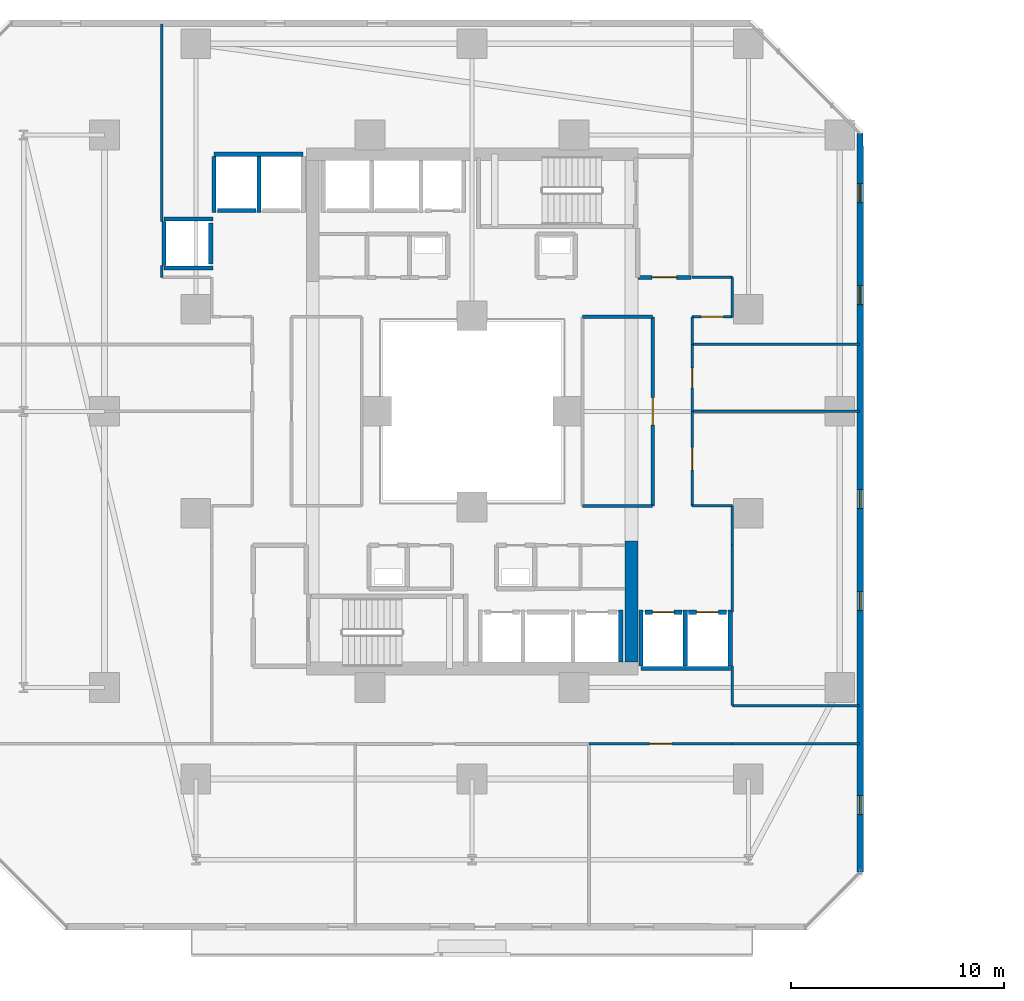
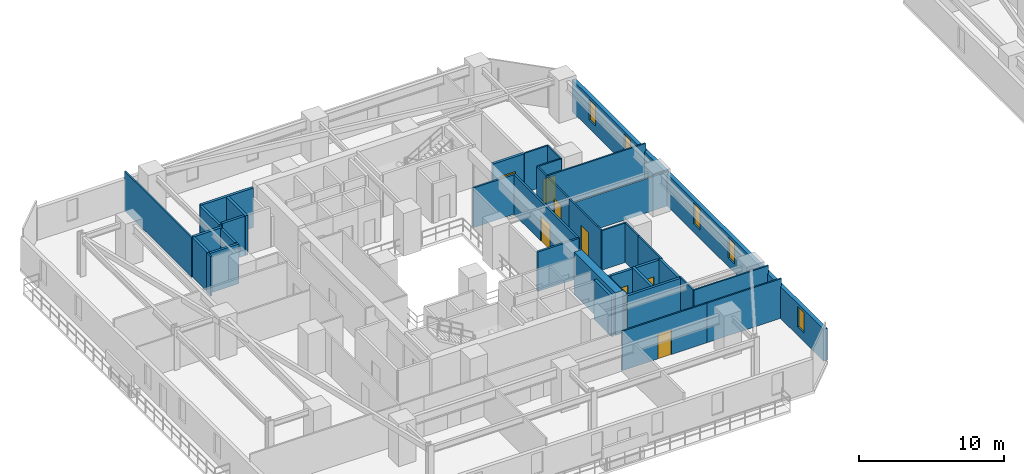
# One storey, part 20 of 33: 38 walls, 8 doors, 5 windows, 13 openings.
"""IFC4 building model written with IfcOpenShell, lengths in metres."""

from ifc_helpers import new_model, si_unit, direction, frame, frame_2d, origin, place, context, subcontext, project, spatial, rectangle, extrude, material, layer, layer_set, type_object, element, fill, save


model = new_model("IFC4")

# Units and contexts
model_context = context("Model", 3, precision=1e-05, world=origin(), true_north=direction((0.0, 1.0)))
body_context = subcontext(model_context, "Body", "Model", "MODEL_VIEW")
ifc_project = project(units=[si_unit("LENGTHUNIT", "METRE"), si_unit("AREAUNIT", "SQUARE_METRE"), si_unit("VOLUMEUNIT", "CUBIC_METRE"), si_unit("PLANEANGLEUNIT", "RADIAN"), si_unit("MASSUNIT", "GRAM", prefix="KILO")], contexts=[model_context])

# Site, building, storey
site_placement = place(None, origin())
site = spatial("IfcSite", under=ifc_project, at=site_placement, CompositionType="ELEMENT")
building_placement = place(site_placement, origin())
building = spatial("IfcBuilding", under=site, at=building_placement, Name="Thornwick Lancets Civic Towers", CompositionType="ELEMENT")
storey_placement = place(building_placement, frame((0.0, 0.0, 38.699951171875)))
storey = spatial("IfcBuildingStorey", under=building, at=storey_placement, Name="L09", CompositionType="ELEMENT", Elevation=38.699951171875)

# Wall, opening, door
ifc_material_1 = material(Name="Concrete blockwork C40/50", Category="masonry")
ifc_layer_1 = layer(ifc_material_1, 0.199951171875, Name="Concrete blockwork C40/50")
ifc_layer_set_1 = layer_set([ifc_layer_1], Name="Concrete blockwork C40/50")
wall_type_1 = type_object("IfcWallType", Name="WALL_COMP_200", PredefinedType="STANDARD", material=ifc_layer_set_1)
wall_1_placement = place(storey_placement, frame((33.6298828125, 17.550048828125, 0.0), z_axis=(0.0, 0.0, 1.0), x_axis=(1.0, 0.0, 0.0)))
wall_1 = element("IfcWall", 1, at=wall_1_placement, inside=storey, type_object=wall_type_1, Name="L09 Hoistway Front Wall PL-AL2", PredefinedType="STANDARD", context=body_context, shape_type="SweptSolid", body=[
    extrude(rectangle(XDim=1.740234375, YDim=0.199951171875, at=frame_2d((0.8701171875, 0.0))), origin(), (0.0, 0.0, 1.0), 3.340087890625),
])
opening_1_placement = place(wall_1_placement, frame((0.360107421875, 0.0, 0.0)))
opening_1 = element("IfcOpeningElement", 2, at=opening_1_placement, cuts=wall_1, Name="Opening LD-PL-AL2", PredefinedType="OPENING", context=body_context, shape_type="SweptSolid", body=[
    extrude(rectangle(XDim=1.02001953125, YDim=2.06005859375, at=frame_2d((0.510009765625, 1.030029296875))), frame((0.0, 0.10986328125, 0.0), z_axis=(0.0, -1.0, 0.0), x_axis=(1.0, 0.0, 0.0)), (0.0, 0.0, 1.0), 0.219970703125),
])
ifc_material_2 = material(Name="Brushed bronze stainless steel", Category="steel")
door_type_1 = type_object("IfcDoorType", Name="DOOR_LIFT_SLIDE", OperationType="SLIDING_TO_LEFT", PredefinedType="DOOR", material=ifc_material_2)
door_1_placement = place(opening_1_placement, origin())
door_1 = element("IfcDoor", 3, at=door_1_placement, inside=storey, type_object=door_type_1, Name="L09 Sliding Lift Landing Door LD-PL-AL2", OperationType="SLIDING_TO_LEFT", OverallHeight=2.06005859375, OverallWidth=1.02001953125, PredefinedType="DOOR", context=body_context, shape_type="SweptSolid", body=[
    extrude(rectangle(XDim=1.02001953125, YDim=2.06005859375, at=frame_2d((0.510009765625, 1.030029296875))), frame((0.0, 0.02490234375, 0.0), z_axis=(0.0, -1.0, 0.0), x_axis=(1.0, 0.0, 0.0)), (0.0, 0.0, 1.0), 0.050048828125),
])
fill(opening_1, door_1)

wall_2_placement = place(storey_placement, frame((35.679931640625, 17.550048828125, 0.0), z_axis=(0.0, 0.0, 1.0), x_axis=(1.0, 0.0, 0.0)))
wall_2 = element("IfcWall", 4, at=wall_2_placement, inside=storey, type_object=wall_type_1, Name="L09 Hoistway Front Wall PL-AL3", PredefinedType="STANDARD", context=body_context, shape_type="SweptSolid", body=[
    extrude(rectangle(XDim=1.7900390625, YDim=0.199951171875, at=frame_2d((0.89501953125, 0.0))), origin(), (0.0, 0.0, 1.0), 3.340087890625),
])
opening_2_placement = place(wall_2_placement, frame((0.385009765625, 0.0, 0.0)))
opening_2 = element("IfcOpeningElement", 5, at=opening_2_placement, cuts=wall_2, Name="Opening LD-PL-AL3", PredefinedType="OPENING", context=body_context, shape_type="SweptSolid", body=[
    extrude(rectangle(XDim=1.02001953125, YDim=2.06005859375, at=frame_2d((0.510009765625, 1.030029296875))), frame((0.0, 0.10986328125, 0.0), z_axis=(0.0, -1.0, 0.0), x_axis=(1.0, 0.0, 0.0)), (0.0, 0.0, 1.0), 0.219970703125),
])
door_2_placement = place(opening_2_placement, origin())
door_2 = element("IfcDoor", 6, at=door_2_placement, inside=storey, type_object=door_type_1, Name="L09 Sliding Lift Landing Door LD-PL-AL3", OperationType="SLIDING_TO_LEFT", OverallHeight=2.06005859375, OverallWidth=1.02001953125, PredefinedType="DOOR", context=body_context, shape_type="SweptSolid", body=[
    extrude(rectangle(XDim=1.02001953125, YDim=2.06005859375, at=frame_2d((0.510009765625, 1.030029296875))), frame((0.0, 0.02490234375, 0.0), z_axis=(0.0, -1.0, 0.0), x_axis=(1.0, 0.0, 0.0)), (0.0, 0.0, 1.0), 0.050048828125),
])
fill(opening_2, door_2)

# Walls
wall_3_placement = place(storey_placement, frame((15.320068359375, 36.449951171875, 0.0), z_axis=(0.0, 0.0, 1.0), x_axis=(-1.0, 0.0, 0.0)))
element("IfcWall", 7, at=wall_3_placement, inside=storey, type_object=wall_type_1, Name="L09 Hoistway Front Wall PL-AM2", PredefinedType="STANDARD", context=body_context, shape_type="SweptSolid", body=[
    extrude(rectangle(XDim=1.7900390625, YDim=0.199951171875, at=frame_2d((0.89501953125, 0.0))), origin(), (0.0, 0.0, 1.0), 3.340087890625),
])
wall_4_placement = place(storey_placement, frame((13.199951171875, 33.929931640625, 0.0), z_axis=(0.0, 0.0, 1.0), x_axis=(0.0, 1.0, 0.0)))
element("IfcWall", 8, at=wall_4_placement, inside=storey, type_object=wall_type_1, Name="L09 Hoistway Front Wall PL-AM3", PredefinedType="STANDARD", context=body_context, shape_type="SweptSolid", body=[
    extrude(rectangle(XDim=1.940185546875, YDim=0.199951171875, at=frame_2d((0.97021484375, 0.0))), origin(), (0.0, 0.0, 1.0), 3.340087890625),
])
wall_5_placement = place(storey_placement, frame((32.5, 15.2119140625, 0.0), z_axis=(0.0, 0.0, 1.0), x_axis=(0.0, 1.0, 0.0)))
element("IfcWall", 9, at=wall_5_placement, inside=storey, type_object=wall_type_1, Name="L09 Hoistway Shaft Wall PL-AL1 E", PredefinedType="STANDARD", context=body_context, shape_type="SweptSolid", body=[
    extrude(rectangle(XDim=2.43603515625, YDim=0.199951171875, at=frame_2d((1.218017578125, 0.0))), origin(), (0.0, 0.0, 1.0), 3.340087890625),
])
wall_6_placement = place(storey_placement, frame((33.451904296875, 14.89990234375, 0.0), z_axis=(0.0, 0.0, 1.0), x_axis=(1.0, 0.0, 0.0)))
element("IfcWall", 10, at=wall_6_placement, inside=storey, type_object=wall_type_1, Name="L09 Hoistway Shaft Wall PL-AL2 S", PredefinedType="STANDARD", context=body_context, shape_type="SweptSolid", body=[
    extrude(rectangle(XDim=4.196044921875, YDim=0.199951171875, at=frame_2d((2.09814453125, 0.0))), origin(), (0.0, 0.0, 1.0), 3.340087890625),
])
for number, where, z_axis, x_axis, name in (
    (11, (35.52490234375, 15.011962890625, 0.0), (0.0, 0.0, 1.0), (0.0, 1.0, 0.0), "L09 Hoistway Shaft Wall PL-AL2 E"),
    (12, (33.449951171875, 15.011962890625, 0.0), (0.0, 0.0, 1.0), (0.0, 1.0, 0.0), "L09 Hoistway Shaft Wall PL-AL2 W"),
    (13, (37.64990234375, 15.011962890625, 0.0), (0.0, 0.0, 1.0), (0.0, 1.0, 0.0), "L09 Hoistway Shaft Wall PL-AL3 E"),
):
    element("IfcWall", number, at=place(storey_placement, frame(where, z_axis=z_axis, x_axis=x_axis)), inside=storey, type_object=wall_type_1, Name=name, PredefinedType="STANDARD", context=body_context, shape_type="SweptSolid", body=[
        extrude(rectangle(XDim=2.635986328125, YDim=0.199951171875, at=frame_2d((1.31787109375, 0.0))), origin(), (0.0, 0.0, 1.0), 3.340087890625),
    ])
wall_7_placement = place(storey_placement, frame((13.35205078125, 39.10009765625, 0.0), z_axis=(0.0, 0.0, 1.0), x_axis=(1.0, 0.0, 0.0)))
element("IfcWall", 14, at=wall_7_placement, inside=storey, type_object=wall_type_1, Name="L09 Hoistway Shaft Wall PL-AM1 N", PredefinedType="STANDARD", context=body_context, shape_type="SweptSolid", body=[
    extrude(rectangle(XDim=4.196044921875, YDim=0.199951171875, at=frame_2d((2.09814453125, 0.0))), origin(), (0.0, 0.0, 1.0), 3.340087890625),
])
for number, where, z_axis, x_axis, name in (
    (15, (15.47509765625, 36.35205078125, 0.0), (0.0, 0.0, 1.0), (0.0, 1.0, 0.0), "L09 Hoistway Shaft Wall PL-AM1 W"),
    (16, (13.35009765625, 36.35205078125, 0.0), (0.0, 0.0, 1.0), (0.0, 1.0, 0.0), "L09 Hoistway Shaft Wall PL-AM2 W"),
):
    element("IfcWall", number, at=place(storey_placement, frame(where, z_axis=z_axis, x_axis=x_axis)), inside=storey, type_object=wall_type_1, Name=name, PredefinedType="STANDARD", context=body_context, shape_type="SweptSolid", body=[
        extrude(rectangle(XDim=2.635986328125, YDim=0.199951171875, at=frame_2d((1.31787109375, 0.0))), origin(), (0.0, 0.0, 1.0), 3.340087890625),
    ])
for number, where, z_axis, x_axis, name in (
    (17, (11.001953125, 36.050048828125, 0.0), (0.0, 0.0, 1.0), (1.0, 0.0, 0.0), "L09 Hoistway Shaft Wall PL-AM3 N"),
    (18, (11.001953125, 33.75, 0.0), (0.0, 0.0, 1.0), (1.0, 0.0, 0.0), "L09 Hoistway Shaft Wall PL-AM3 S"),
):
    element("IfcWall", number, at=place(storey_placement, frame(where, z_axis=z_axis, x_axis=x_axis)), inside=storey, type_object=wall_type_1, Name=name, PredefinedType="STANDARD", context=body_context, shape_type="SweptSolid", body=[
        extrude(rectangle(XDim=2.296142578125, YDim=0.199951171875, at=frame_2d((1.14794921875, 0.0))), origin(), (0.0, 0.0, 1.0), 3.340087890625),
    ])
wall_8_placement = place(storey_placement, frame((11.0, 33.862060546875, 0.0), z_axis=(0.0, 0.0, 1.0), x_axis=(0.0, 1.0, 0.0)))
element("IfcWall", 19, at=wall_8_placement, inside=storey, type_object=wall_type_1, Name="L09 Hoistway Shaft Wall PL-AM3 W", PredefinedType="STANDARD", context=body_context, shape_type="SweptSolid", body=[
    extrude(rectangle(XDim=2.075927734375, YDim=0.199951171875, at=frame_2d((1.0380859375, 0.0))), origin(), (0.0, 0.0, 1.0), 3.340087890625),
])

# Wall, opening, door
wall_9_placement = place(storey_placement, frame((33.300048828125, 33.300048828125, 0.0), z_axis=(0.0, 0.0, 1.0), x_axis=(1.0, 0.0, 0.0)))
wall_9 = element("IfcWall", 20, at=wall_9_placement, inside=storey, type_object=wall_type_1, Name="L09 Partition L09-A-FFLOB2 E1", PredefinedType="STANDARD", context=body_context, shape_type="SweptSolid", body=[
    extrude(rectangle(XDim=2.5, YDim=0.199951171875, at=frame_2d((1.25, 0.0))), origin(), (0.0, 0.0, 1.0), 3.340087890625),
])
opening_3_placement = place(wall_9_placement, frame((0.675048828125, 0.0, 0.0)))
opening_3 = element("IfcOpeningElement", 21, at=opening_3_placement, cuts=wall_9, Name="Opening D-L09-0440", PredefinedType="OPENING", context=body_context, shape_type="SweptSolid", body=[
    extrude(rectangle(XDim=1.14990234375, YDim=2.10009765625, at=frame_2d((0.574951171875, 1.050048828125))), frame((0.0, 0.10986328125, 0.0), z_axis=(0.0, -1.0, 0.0), x_axis=(1.0, 0.0, 0.0)), (0.0, 0.0, 1.0), 0.219970703125),
])
ifc_material_3 = material(Name="Glazed fire-resisting steel", Category="steel")
door_type_2 = type_object("IfcDoorType", Name="DOOR_LOBBY_FD60", OperationType="NOTDEFINED", PredefinedType="DOOR", material=ifc_material_3)
door_3_placement = place(opening_3_placement, origin())
door_3 = element("IfcDoor", 22, at=door_3_placement, inside=storey, type_object=door_type_2, Name="L09 North Firefighting Lobby 2 Door", OperationType="SINGLE_SWING_LEFT", OverallHeight=2.10009765625, OverallWidth=1.14990234375, PredefinedType="DOOR", context=body_context, shape_type="SweptSolid", body=[
    extrude(rectangle(XDim=1.14990234375, YDim=2.10009765625, at=frame_2d((0.574951171875, 1.050048828125))), frame((0.0, 0.02490234375, 0.0), z_axis=(0.0, -1.0, 0.0), x_axis=(1.0, 0.0, 0.0)), (0.0, 0.0, 1.0), 0.050048828125),
])
fill(opening_3, door_3)

# Wall
ifc_material_4 = material(Name="Concrete C60/75", Category="concrete")
ifc_layer_2 = layer(ifc_material_4, 0.60009765625, Name="Concrete C60/75")
ifc_layer_set_2 = layer_set([ifc_layer_2], Name="Concrete C60/75")
wall_type_2 = type_object("IfcWallType", Name="WALL_CORE_600", PredefinedType="SHEAR", material=ifc_layer_set_2)
wall_10_placement = place(storey_placement, frame((33.0, 15.199951171875, 0.0), z_axis=(0.0, 0.0, 1.0), x_axis=(0.0, 1.0, 0.0)))
element("IfcWall", 23, at=wall_10_placement, inside=storey, type_object=wall_type_2, Name="L09 Split Core A1 Shear Wall E", PredefinedType="SHEAR", context=body_context, shape_type="SweptSolid", body=[
    extrude(rectangle(XDim=5.699951171875, YDim=0.60009765625, at=frame_2d((2.85009765625, 0.0))), origin(), (0.0, 0.0, 1.0), 3.60009765625),
])

# Wall, openings, windows
ifc_material_5 = material(Name="Insulated russet terracotta rainscreen on concrete C40/50", Category="masonry")
ifc_layer_3 = layer(ifc_material_5, 0.300048828125, Name="Insulated russet terracotta rainscreen on concrete C40/50")
ifc_layer_set_3 = layer_set([ifc_layer_3], Name="Insulated russet terracotta rainscreen on concrete C40/50")
wall_type_3 = type_object("IfcWallType", Name="WALL_EXT_RUSSET_300", PredefinedType="STANDARD", material=ifc_layer_set_3)
wall_11_placement = place(storey_placement, frame((43.764892578125, 5.31884765625, 0.0), z_axis=(0.0, 0.0, 1.0), x_axis=(-0.000245864205, 0.999999969775, 0.0)))
wall_11 = element("IfcWall", 24, at=wall_11_placement, inside=storey, type_object=wall_type_3, Name="L09 Tower A Terracotta Facade Wall E2", PredefinedType="STANDARD", context=body_context, shape_type="SweptSolid", body=[
    extrude(rectangle(XDim=34.754638671875, YDim=0.300048828125, at=frame_2d((17.37744140625, 0.0))), origin(), (0.0, 0.0, 1.0), 2.699951171875),
])
opening_4_placement = place(wall_11_placement, frame((2.699951171875, 0.0, 0.719970703125)))
opening_4 = element("IfcOpeningElement", 25, at=opening_4_placement, cuts=wall_11, Name="Opening WL-01", PredefinedType="OPENING", context=body_context, shape_type="SweptSolid", body=[
    extrude(rectangle(XDim=0.89990234375, YDim=1.75, at=frame_2d((0.449951171875, 0.875))), frame((0.0, 0.16015625, 0.0), z_axis=(0.0, -1.0, 0.0), x_axis=(1.0, 0.0, 0.0)), (0.0, 0.0, 1.0), 0.320068359375),
])
opening_5_placement = place(wall_11_placement, frame((12.300048828125, 0.0, 0.719970703125)))
opening_5 = element("IfcOpeningElement", 26, at=opening_5_placement, cuts=wall_11, Name="Opening WL-01", PredefinedType="OPENING", context=body_context, shape_type="SweptSolid", body=[
    extrude(rectangle(XDim=0.89990234375, YDim=1.75, at=frame_2d((0.449951171875, 0.875))), frame((0.0, 0.16015625, 0.0), z_axis=(0.0, -1.0, 0.0), x_axis=(1.0, 0.0, 0.0)), (0.0, 0.0, 1.0), 0.320068359375),
])
opening_6_placement = place(wall_11_placement, frame((17.10009765625, 0.0, 0.719970703125)))
opening_6 = element("IfcOpeningElement", 27, at=opening_6_placement, cuts=wall_11, Name="Opening WL-01", PredefinedType="OPENING", context=body_context, shape_type="SweptSolid", body=[
    extrude(rectangle(XDim=0.89990234375, YDim=1.75, at=frame_2d((0.449951171875, 0.875))), frame((0.0, 0.16015625, 0.0), z_axis=(0.0, -1.0, 0.0), x_axis=(1.0, 0.0, 0.0)), (0.0, 0.0, 1.0), 0.320068359375),
])
opening_7_placement = place(wall_11_placement, frame((26.699951171875, 0.0, 0.719970703125)))
opening_7 = element("IfcOpeningElement", 28, at=opening_7_placement, cuts=wall_11, Name="Opening WL-01", PredefinedType="OPENING", context=body_context, shape_type="SweptSolid", body=[
    extrude(rectangle(XDim=0.89990234375, YDim=1.75, at=frame_2d((0.449951171875, 0.875))), frame((0.0, 0.16015625, 0.0), z_axis=(0.0, -1.0, 0.0), x_axis=(1.0, 0.0, 0.0)), (0.0, 0.0, 1.0), 0.320068359375),
])
opening_8_placement = place(wall_11_placement, frame((31.5, 0.0, 0.719970703125)))
opening_8 = element("IfcOpeningElement", 29, at=opening_8_placement, cuts=wall_11, Name="Opening WL-01", PredefinedType="OPENING", context=body_context, shape_type="SweptSolid", body=[
    extrude(rectangle(XDim=0.89990234375, YDim=1.75, at=frame_2d((0.449951171875, 0.875))), frame((0.0, 0.16015625, 0.0), z_axis=(0.0, -1.0, 0.0), x_axis=(1.0, 0.0, 0.0)), (0.0, 0.0, 1.0), 0.320068359375),
])
ifc_material_6 = material(Name="Clear low-e double glazing in bronze frame", Category="glass")
window_type = type_object("IfcWindowType", Name="WIN_LANCET_900", PartitioningType="SINGLE_PANEL", PredefinedType="WINDOW", material=ifc_material_6)
window_1_placement = place(opening_4_placement, origin())
window_1 = element("IfcWindow", 30, at=window_1_placement, inside=storey, type_object=window_type, Name="L09 Tower A Staggered Lancet Window E2-1", OverallHeight=1.75, OverallWidth=0.89990234375, PartitioningType="SINGLE_PANEL", PredefinedType="WINDOW", context=body_context, shape_type="SweptSolid", body=[
    extrude(rectangle(XDim=0.89990234375, YDim=1.75, at=frame_2d((0.449951171875, 0.875))), frame((0.0, 0.030029296875, 0.0), z_axis=(0.0, -1.0, 0.0), x_axis=(1.0, 0.0, 0.0)), (0.0, 0.0, 1.0), 0.06005859375),
])
fill(opening_4, window_1)
window_2_placement = place(opening_5_placement, origin())
window_2 = element("IfcWindow", 31, at=window_2_placement, inside=storey, type_object=window_type, Name="L09 Tower A Staggered Lancet Window E2-2", OverallHeight=1.75, OverallWidth=0.89990234375, PartitioningType="SINGLE_PANEL", PredefinedType="WINDOW", context=body_context, shape_type="SweptSolid", body=[
    extrude(rectangle(XDim=0.89990234375, YDim=1.75, at=frame_2d((0.449951171875, 0.875))), frame((0.0, 0.030029296875, 0.0), z_axis=(0.0, -1.0, 0.0), x_axis=(1.0, 0.0, 0.0)), (0.0, 0.0, 1.0), 0.06005859375),
])
fill(opening_5, window_2)
window_3_placement = place(opening_6_placement, origin())
window_3 = element("IfcWindow", 32, at=window_3_placement, inside=storey, type_object=window_type, Name="L09 Tower A Staggered Lancet Window E2-3", OverallHeight=1.75, OverallWidth=0.89990234375, PartitioningType="SINGLE_PANEL", PredefinedType="WINDOW", context=body_context, shape_type="SweptSolid", body=[
    extrude(rectangle(XDim=0.89990234375, YDim=1.75, at=frame_2d((0.449951171875, 0.875))), frame((0.0, 0.030029296875, 0.0), z_axis=(0.0, -1.0, 0.0), x_axis=(1.0, 0.0, 0.0)), (0.0, 0.0, 1.0), 0.06005859375),
])
fill(opening_6, window_3)
window_4_placement = place(opening_7_placement, origin())
window_4 = element("IfcWindow", 33, at=window_4_placement, inside=storey, type_object=window_type, Name="L09 Tower A Staggered Lancet Window E2-4", OverallHeight=1.75, OverallWidth=0.89990234375, PartitioningType="SINGLE_PANEL", PredefinedType="WINDOW", context=body_context, shape_type="SweptSolid", body=[
    extrude(rectangle(XDim=0.89990234375, YDim=1.75, at=frame_2d((0.449951171875, 0.875))), frame((0.0, 0.030029296875, 0.0), z_axis=(0.0, -1.0, 0.0), x_axis=(1.0, 0.0, 0.0)), (0.0, 0.0, 1.0), 0.06005859375),
])
fill(opening_7, window_4)
window_5_placement = place(opening_8_placement, origin())
window_5 = element("IfcWindow", 34, at=window_5_placement, inside=storey, type_object=window_type, Name="L09 Tower A Staggered Lancet Window E2-5", OverallHeight=1.75, OverallWidth=0.89990234375, PartitioningType="SINGLE_PANEL", PredefinedType="WINDOW", context=body_context, shape_type="SweptSolid", body=[
    extrude(rectangle(XDim=0.89990234375, YDim=1.75, at=frame_2d((0.449951171875, 0.875))), frame((0.0, 0.030029296875, 0.0), z_axis=(0.0, -1.0, 0.0), x_axis=(1.0, 0.0, 0.0)), (0.0, 0.0, 1.0), 0.06005859375),
])
fill(opening_8, window_5)

# Walls
ifc_material_7 = material(Name="Acoustic gypsum board partition")
ifc_layer_4 = layer(ifc_material_7, 0.1201171875, Name="Acoustic gypsum board partition")
ifc_layer_set_4 = layer_set([ifc_layer_4], Name="Acoustic gypsum board partition")
wall_type_4 = type_object("IfcWallType", Name="WALL_PART_120", PredefinedType="PARTITIONING", material=ifc_layer_set_4)
wall_12_placement = place(storey_placement, frame((10.89990234375, 45.219970703125, 0.0), z_axis=(0.0, 0.0, 1.0), x_axis=(0.0, -1.0, 0.0)))
element("IfcWall", 35, at=wall_12_placement, inside=storey, type_object=wall_type_4, Name="L09 Partition L09-A-W3 E9", PredefinedType="PARTITIONING", context=body_context, shape_type="SweptSolid", body=[
    extrude(rectangle(XDim=9.281982421875, YDim=0.1201171875, at=frame_2d((4.64111328125, 0.0))), origin(), (0.0, 0.0, 1.0), 3.340087890625),
])
wall_13_placement = place(storey_placement, frame((10.89990234375, 33.862060546875, 0.0), z_axis=(0.0, 0.0, 1.0), x_axis=(0.0, -1.0, 0.0)))
element("IfcWall", 36, at=wall_13_placement, inside=storey, type_object=wall_type_4, Name="L09 Partition L09-A-W3 E9", PredefinedType="PARTITIONING", context=body_context, shape_type="SweptSolid", body=[
    extrude(rectangle(XDim=0.56201171875, YDim=0.1201171875, at=frame_2d((0.281005859375, 0.0))), origin(), (0.0, 0.0, 1.0), 3.340087890625),
])
wall_14_placement = place(storey_placement, frame((37.75, 17.550048828125, 0.0), z_axis=(0.0, 0.0, 1.0), x_axis=(0.0, 1.0, 0.0)))
element("IfcWall", 37, at=wall_14_placement, inside=storey, type_object=wall_type_4, Name="L09 Partition L09-A-E1 E1", PredefinedType="PARTITIONING", context=body_context, shape_type="SweptSolid", body=[
    extrude(rectangle(XDim=3.14990234375, YDim=0.1201171875, at=frame_2d((1.574951171875, 0.0))), origin(), (0.0, 0.0, 1.0), 3.340087890625),
])
wall_15_placement = place(storey_placement, frame((37.75, 20.699951171875, 0.0), z_axis=(0.0, 0.0, 1.0), x_axis=(0.0, 1.0, 0.0)))
element("IfcWall", 38, at=wall_15_placement, inside=storey, type_object=wall_type_4, Name="L09 Partition L09-A-E1 E2", PredefinedType="PARTITIONING", context=body_context, shape_type="SweptSolid", body=[
    extrude(rectangle(XDim=1.85009765625, YDim=0.1201171875, at=frame_2d((0.925048828125, 0.0))), origin(), (0.0, 0.0, 1.0), 3.340087890625),
])
wall_16_placement = place(storey_placement, frame((37.75, 22.550048828125, 0.0), z_axis=(0.0, 0.0, 1.0), x_axis=(-1.0, 0.0, 0.0)))
element("IfcWall", 39, at=wall_16_placement, inside=storey, type_object=wall_type_4, Name="L09 Partition L09-A-E1 E3", PredefinedType="PARTITIONING", context=body_context, shape_type="SweptSolid", body=[
    extrude(rectangle(XDim=1.89990234375, YDim=0.1201171875, at=frame_2d((0.949951171875, 0.0))), origin(), (0.0, 0.0, 1.0), 3.340087890625),
])

# Wall, opening, door
wall_17_placement = place(storey_placement, frame((35.85009765625, 22.550048828125, 0.0), z_axis=(0.0, 0.0, 1.0), x_axis=(0.0, 1.0, 0.0)))
wall_17 = element("IfcWall", 40, at=wall_17_placement, inside=storey, type_object=wall_type_4, Name="L09 Partition L09-A-E1 E4", PredefinedType="PARTITIONING", context=body_context, shape_type="SweptSolid", body=[
    extrude(rectangle(XDim=4.449951171875, YDim=0.1201171875, at=frame_2d((2.22509765625, 0.0))), origin(), (0.0, 0.0, 1.0), 3.340087890625),
])
opening_9_placement = place(wall_17_placement, frame((1.699951171875, 0.0, 0.0)))
opening_9 = element("IfcOpeningElement", 41, at=opening_9_placement, cuts=wall_17, Name="Opening D-L09-0464", PredefinedType="OPENING", context=body_context, shape_type="SweptSolid", body=[
    extrude(rectangle(XDim=1.050048828125, YDim=2.10009765625, at=frame_2d((0.52490234375, 1.050048828125))), frame((0.0, 0.070068359375, 0.0), z_axis=(0.0, -1.0, 0.0), x_axis=(1.0, 0.0, 0.0)), (0.0, 0.0, 1.0), 0.14013671875),
])
ifc_material_8 = material(Name="Glazed European oak executive doorset")
door_type_3 = type_object("IfcDoorType", Name="DOOR_OFFICE_1050", OperationType="NOTDEFINED", PredefinedType="DOOR", material=ifc_material_8)
door_4_placement = place(opening_9_placement, origin())
door_4 = element("IfcDoor", 42, at=door_4_placement, inside=storey, type_object=door_type_3, Name="L09 Tower A Secretariat Open Office E1 Door", OperationType="SINGLE_SWING_LEFT", OverallHeight=2.10009765625, OverallWidth=1.050048828125, PredefinedType="DOOR", context=body_context, shape_type="SweptSolid", body=[
    extrude(rectangle(XDim=1.050048828125, YDim=2.10009765625, at=frame_2d((0.52490234375, 1.050048828125))), frame((0.0, 0.02490234375, 0.0), z_axis=(0.0, -1.0, 0.0), x_axis=(1.0, 0.0, 0.0)), (0.0, 0.0, 1.0), 0.050048828125),
])
fill(opening_9, door_4)

# Walls
wall_18_placement = place(storey_placement, frame((35.85009765625, 27.0, 0.0), z_axis=(0.0, 0.0, 1.0), x_axis=(1.0, 0.0, 0.0)))
element("IfcWall", 43, at=wall_18_placement, inside=storey, type_object=wall_type_4, Name="L09 Partition L09-A-E1 E5", PredefinedType="PARTITIONING", context=body_context, shape_type="SweptSolid", body=[
    extrude(rectangle(XDim=7.869873046875, YDim=0.1201171875, at=frame_2d((3.93505859375, 0.0))), origin(), (0.0, 0.0, 1.0), 2.881591796875),
])
wall_19_placement = place(storey_placement, frame((43.719970703125, 13.14990234375, 0.0), z_axis=(0.0, 0.0, 1.0), x_axis=(-1.0, 0.0, 0.0)))
element("IfcWall", 44, at=wall_19_placement, inside=storey, type_object=wall_type_4, Name="L09 Partition L09-A-E1 E7", PredefinedType="PARTITIONING", context=body_context, shape_type="SweptSolid", body=[
    extrude(rectangle(XDim=5.969970703125, YDim=0.1201171875, at=frame_2d((2.98486328125, 0.0))), origin(), (0.0, 0.0, 1.0), 3.340087890625),
])
wall_20_placement = place(storey_placement, frame((37.75, 13.14990234375, 0.0), z_axis=(0.0, 0.0, 1.0), x_axis=(0.0, 1.0, 0.0)))
element("IfcWall", 45, at=wall_20_placement, inside=storey, type_object=wall_type_4, Name="L09 Partition L09-A-E1 E8", PredefinedType="PARTITIONING", context=body_context, shape_type="SweptSolid", body=[
    extrude(rectangle(XDim=1.862060546875, YDim=0.1201171875, at=frame_2d((0.93115234375, 0.0))), origin(), (0.0, 0.0, 1.0), 3.340087890625),
])

# Wall, opening, door
wall_21_placement = place(storey_placement, frame((35.85009765625, 27.0, 0.0), z_axis=(0.0, 0.0, 1.0), x_axis=(0.0, 1.0, 0.0)))
wall_21 = element("IfcWall", 46, at=wall_21_placement, inside=storey, type_object=wall_type_4, Name="L09 Partition L09-A-E2 E1", PredefinedType="PARTITIONING", context=body_context, shape_type="SweptSolid", body=[
    extrude(rectangle(XDim=3.14990234375, YDim=0.1201171875, at=frame_2d((1.574951171875, 0.0))), origin(), (0.0, 0.0, 1.0), 3.340087890625),
])
opening_10_placement = place(wall_21_placement, frame((1.10009765625, 0.0, 0.0)))
opening_10 = element("IfcOpeningElement", 47, at=opening_10_placement, cuts=wall_21, Name="Opening D-L09-0465", PredefinedType="OPENING", context=body_context, shape_type="SweptSolid", body=[
    extrude(rectangle(XDim=0.949951171875, YDim=2.10009765625, at=frame_2d((0.47509765625, 1.050048828125))), frame((0.0, 0.070068359375, 0.0), z_axis=(0.0, -1.0, 0.0), x_axis=(1.0, 0.0, 0.0)), (0.0, 0.0, 1.0), 0.14013671875),
])
ifc_material_9 = material(Name="European oak acoustic doorset")
door_type_4 = type_object("IfcDoorType", Name="DOOR_OFFICE_950", OperationType="NOTDEFINED", PredefinedType="DOOR", material=ifc_material_9)
door_5_placement = place(opening_10_placement, origin())
door_5 = element("IfcDoor", 48, at=door_5_placement, inside=storey, type_object=door_type_4, Name="L09 Tower A Visitors Reception and Waiting Door", OperationType="SINGLE_SWING_RIGHT", OverallHeight=2.10009765625, OverallWidth=0.949951171875, PredefinedType="DOOR", context=body_context, shape_type="SweptSolid", body=[
    extrude(rectangle(XDim=0.949951171875, YDim=2.10009765625, at=frame_2d((0.47509765625, 1.050048828125))), frame((0.0, 0.02490234375, 0.0), z_axis=(0.0, -1.0, 0.0), x_axis=(1.0, 0.0, 0.0)), (0.0, 0.0, 1.0), 0.050048828125),
])
fill(opening_10, door_5)

# Wall
wall_22_placement = place(storey_placement, frame((35.85009765625, 30.14990234375, 0.0), z_axis=(0.0, 0.0, 1.0), x_axis=(1.0, 0.0, 0.0)))
element("IfcWall", 49, at=wall_22_placement, inside=storey, type_object=wall_type_4, Name="L09 Partition L09-A-E2 E2", PredefinedType="PARTITIONING", context=body_context, shape_type="SweptSolid", body=[
    extrude(rectangle(XDim=7.869873046875, YDim=0.1201171875, at=frame_2d((3.93505859375, 0.0))), origin(), (0.0, 0.0, 1.0), 3.340087890625),
])

# Wall, opening, door
wall_23_placement = place(storey_placement, frame((35.85009765625, 31.449951171875, 0.0), z_axis=(0.0, 0.0, 1.0), x_axis=(1.0, 0.0, 0.0)))
wall_23 = element("IfcWall", 50, at=wall_23_placement, inside=storey, type_object=wall_type_4, Name="L09 Partition L09-A-E3 E1", PredefinedType="PARTITIONING", context=body_context, shape_type="SweptSolid", body=[
    extrude(rectangle(XDim=1.89990234375, YDim=0.1201171875, at=frame_2d((0.949951171875, 0.0))), origin(), (0.0, 0.0, 1.0), 3.340087890625),
])
opening_11_placement = place(wall_23_placement, frame((0.425048828125, 0.0, 0.0)))
opening_11 = element("IfcOpeningElement", 51, at=opening_11_placement, cuts=wall_23, Name="Opening D-L09-0466", PredefinedType="OPENING", context=body_context, shape_type="SweptSolid", body=[
    extrude(rectangle(XDim=1.050048828125, YDim=2.10009765625, at=frame_2d((0.52490234375, 1.050048828125))), frame((0.0, 0.070068359375, 0.0), z_axis=(0.0, -1.0, 0.0), x_axis=(1.0, 0.0, 0.0)), (0.0, 0.0, 1.0), 0.14013671875),
])
door_6_placement = place(opening_11_placement, origin())
door_6 = element("IfcDoor", 52, at=door_6_placement, inside=storey, type_object=door_type_3, Name="L09 Tower A Civic Seminar Room Door", OperationType="SINGLE_SWING_LEFT", OverallHeight=2.10009765625, OverallWidth=1.050048828125, PredefinedType="DOOR", context=body_context, shape_type="SweptSolid", body=[
    extrude(rectangle(XDim=1.050048828125, YDim=2.10009765625, at=frame_2d((0.52490234375, 1.050048828125))), frame((0.0, 0.02490234375, 0.0), z_axis=(0.0, -1.0, 0.0), x_axis=(1.0, 0.0, 0.0)), (0.0, 0.0, 1.0), 0.050048828125),
])
fill(opening_11, door_6)

# Walls
wall_24_placement = place(storey_placement, frame((37.75, 31.449951171875, 0.0), z_axis=(0.0, 0.0, 1.0), x_axis=(0.0, 1.0, 0.0)))
element("IfcWall", 53, at=wall_24_placement, inside=storey, type_object=wall_type_4, Name="L09 Partition L09-A-E3 E2", PredefinedType="PARTITIONING", context=body_context, shape_type="SweptSolid", body=[
    extrude(rectangle(XDim=1.85009765625, YDim=0.1201171875, at=frame_2d((0.925048828125, 0.0))), origin(), (0.0, 0.0, 1.0), 3.340087890625),
])
wall_25_placement = place(storey_placement, frame((37.75, 33.300048828125, 0.0), z_axis=(0.0, 0.0, 1.0), x_axis=(-1.0, 0.0, 0.0)))
element("IfcWall", 54, at=wall_25_placement, inside=storey, type_object=wall_type_4, Name="L09 Partition L09-A-E3 E3", PredefinedType="PARTITIONING", context=body_context, shape_type="SweptSolid", body=[
    extrude(rectangle(XDim=1.89990234375, YDim=0.1201171875, at=frame_2d((0.949951171875, 0.0))), origin(), (0.0, 0.0, 1.0), 3.340087890625),
])
wall_26_placement = place(storey_placement, frame((35.85009765625, 30.14990234375, 0.0), z_axis=(0.0, 0.0, 1.0), x_axis=(0.0, 1.0, 0.0)))
element("IfcWall", 55, at=wall_26_placement, inside=storey, type_object=wall_type_4, Name="L09 Partition L09-A-E3 E9", PredefinedType="PARTITIONING", context=body_context, shape_type="SweptSolid", body=[
    extrude(rectangle(XDim=1.300048828125, YDim=0.1201171875, at=frame_2d((0.64990234375, 0.0))), origin(), (0.0, 0.0, 1.0), 3.340087890625),
])

# Wall, opening, door
wall_27_placement = place(storey_placement, frame((31.0, 11.35009765625, 0.0), z_axis=(0.0, 0.0, 1.0), x_axis=(1.0, 0.0, 0.0)))
wall_27 = element("IfcWall", 56, at=wall_27_placement, inside=storey, type_object=wall_type_4, Name="L09 Partition L09-A-S-OFF2 E3", PredefinedType="PARTITIONING", context=body_context, shape_type="SweptSolid", body=[
    extrude(rectangle(XDim=6.75, YDim=0.1201171875, at=frame_2d((3.375, 0.0))), origin(), (0.0, 0.0, 1.0), 3.340087890625),
])
opening_12_placement = place(wall_27_placement, frame((2.85009765625, 0.0, 0.0)))
opening_12 = element("IfcOpeningElement", 57, at=opening_12_placement, cuts=wall_27, Name="Opening D-L09-0471", PredefinedType="OPENING", context=body_context, shape_type="SweptSolid", body=[
    extrude(rectangle(XDim=1.050048828125, YDim=2.10009765625, at=frame_2d((0.52490234375, 1.050048828125))), frame((0.0, 0.070068359375, 0.0), z_axis=(0.0, -1.0, 0.0), x_axis=(1.0, 0.0, 0.0)), (0.0, 0.0, 1.0), 0.14013671875),
])
door_7_placement = place(opening_12_placement, origin())
door_7 = element("IfcDoor", 58, at=door_7_placement, inside=storey, type_object=door_type_3, Name="L09 Tower A South-East Division Office Door", OperationType="SINGLE_SWING_RIGHT", OverallHeight=2.10009765625, OverallWidth=1.050048828125, PredefinedType="DOOR", context=body_context, shape_type="SweptSolid", body=[
    extrude(rectangle(XDim=1.050048828125, YDim=2.10009765625, at=frame_2d((0.52490234375, 1.050048828125))), frame((0.0, 0.02490234375, 0.0), z_axis=(0.0, -1.0, 0.0), x_axis=(1.0, 0.0, 0.0)), (0.0, 0.0, 1.0), 0.050048828125),
])
fill(opening_12, door_7)

# Walls
wall_28_placement = place(storey_placement, frame((37.75, 11.35009765625, 0.0), z_axis=(0.0, 0.0, 1.0), x_axis=(1.0, 0.0, 0.0)))
element("IfcWall", 59, at=wall_28_placement, inside=storey, type_object=wall_type_4, Name="L09 Partition L09-A-S-OFF2 E4", PredefinedType="PARTITIONING", context=body_context, shape_type="SweptSolid", body=[
    extrude(rectangle(XDim=5.969970703125, YDim=0.1201171875, at=frame_2d((2.98486328125, 0.0))), origin(), (0.0, 0.0, 1.0), 3.340087890625),
])
ifc_material_10 = material(Name="Twin-stud acoustic gypsum board")
ifc_layer_5 = layer(ifc_material_10, 0.14990234375, Name="Twin-stud acoustic gypsum board")
ifc_layer_set_5 = layer_set([ifc_layer_5], Name="Twin-stud acoustic gypsum board")
wall_type_5 = type_object("IfcWallType", Name="WALL_PART_150", PredefinedType="PARTITIONING", material=ifc_layer_set_5)
wall_29_placement = place(storey_placement, frame((30.699951171875, 31.449951171875, 0.0), z_axis=(0.0, 0.0, 1.0), x_axis=(1.0, 0.0, 0.0)))
element("IfcWall", 60, at=wall_29_placement, inside=storey, type_object=wall_type_5, Name="L09 Partition L09-A-ATR-E E2", PredefinedType="PARTITIONING", context=body_context, shape_type="SweptSolid", body=[
    extrude(rectangle(XDim=3.300048828125, YDim=0.14990234375, at=frame_2d((1.64990234375, 0.0))), origin(), (0.0, 0.0, 1.0), 3.340087890625),
])

# Wall, opening, door
wall_30_placement = place(storey_placement, frame((34.0, 31.449951171875, 0.0), z_axis=(0.0, 0.0, 1.0), x_axis=(0.0, -1.0, 0.0)))
wall_30 = element("IfcWall", 61, at=wall_30_placement, inside=storey, type_object=wall_type_5, Name="L09 Partition L09-A-ATR-E E3", PredefinedType="PARTITIONING", context=body_context, shape_type="SweptSolid", body=[
    extrude(rectangle(XDim=8.89990234375, YDim=0.14990234375, at=frame_2d((4.449951171875, 0.0))), origin(), (0.0, 0.0, 1.0), 3.340087890625),
])
opening_13_placement = place(wall_30_placement, frame((3.800048828125, 0.0, 0.0)))
opening_13 = element("IfcOpeningElement", 62, at=opening_13_placement, cuts=wall_30, Name="Opening D-L09-0467", PredefinedType="OPENING", context=body_context, shape_type="SweptSolid", body=[
    extrude(rectangle(XDim=1.300048828125, YDim=2.1201171875, at=frame_2d((0.64990234375, 1.06005859375))), frame((0.0, 0.0849609375, 0.0), z_axis=(0.0, -1.0, 0.0), x_axis=(1.0, 0.0, 0.0)), (0.0, 0.0, 1.0), 0.169921875),
])
ifc_material_11 = material(Name="Acoustic oak leaf-and-a-half doorset")
door_type_5 = type_object("IfcDoorType", Name="DOOR_MEET_1300", OperationType="DOUBLE_DOOR_SINGLE_SWING", PredefinedType="DOOR", material=ifc_material_11)
door_8_placement = place(opening_13_placement, origin())
door_8 = element("IfcDoor", 63, at=door_8_placement, inside=storey, type_object=door_type_5, Name="L09 Tower A East Atrium Briefing Suite Door", OperationType="DOUBLE_DOOR_SINGLE_SWING", OverallHeight=2.1201171875, OverallWidth=1.300048828125, PredefinedType="DOOR", context=body_context, shape_type="SweptSolid", body=[
    extrude(rectangle(XDim=1.300048828125, YDim=2.1201171875, at=frame_2d((0.64990234375, 1.06005859375))), frame((0.0, 0.02490234375, 0.0), z_axis=(0.0, -1.0, 0.0), x_axis=(1.0, 0.0, 0.0)), (0.0, 0.0, 1.0), 0.050048828125),
])
fill(opening_13, door_8)

# Wall
wall_31_placement = place(storey_placement, frame((34.0, 22.550048828125, 0.0), z_axis=(0.0, 0.0, 1.0), x_axis=(-1.0, 0.0, 0.0)))
element("IfcWall", 64, at=wall_31_placement, inside=storey, type_object=wall_type_5, Name="L09 Partition L09-A-ATR-E E4", PredefinedType="PARTITIONING", context=body_context, shape_type="SweptSolid", body=[
    extrude(rectangle(XDim=3.300048828125, YDim=0.14990234375, at=frame_2d((1.64990234375, 0.0))), origin(), (0.0, 0.0, 1.0), 3.340087890625),
])

save(model, "model.ifc")
